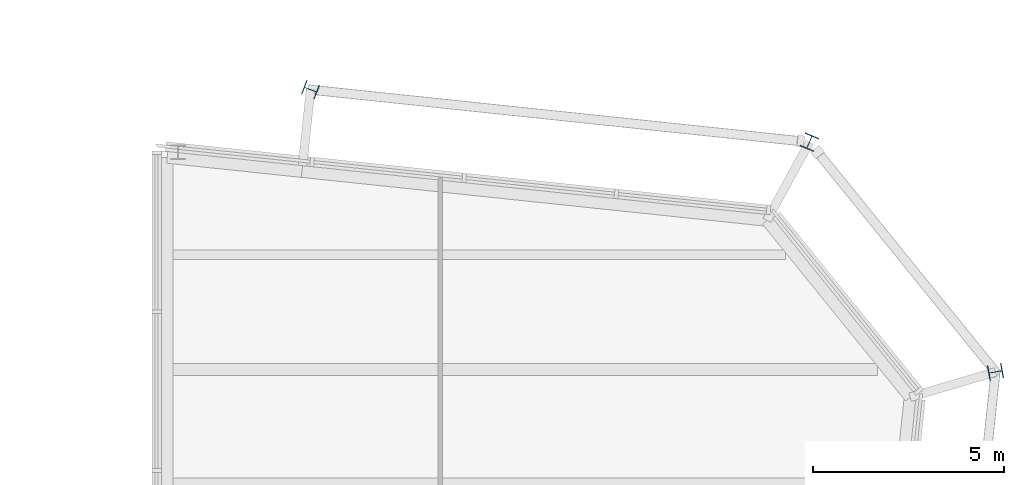
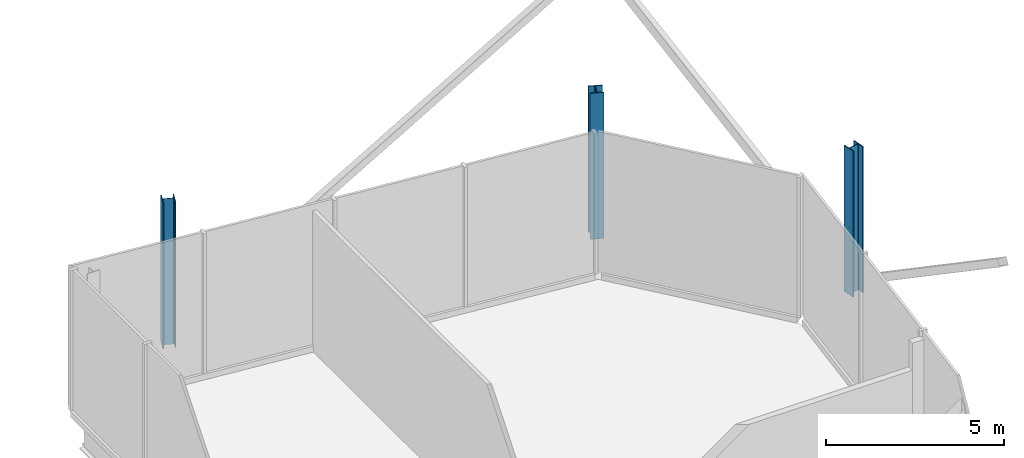
# One storey, part 4 of 15: 3 columns.
"""IFC4 building model written with IfcOpenShell, lengths in metres."""

from ifc_helpers import new_model, si_unit, direction, frame, origin, origin_2d, place, context, subcontext, project, spatial, i_section, extrude, material, material_profile, profile_set, type_object, element, save


model = new_model("IFC4")

# Units and contexts
model_context = context("Model", 3, precision=1e-05, world=origin(), true_north=direction((0.0, 1.0)))
body_context = subcontext(model_context, "Body", "Model", "MODEL_VIEW")
ifc_project = project(units=[si_unit("LENGTHUNIT", "METRE"), si_unit("AREAUNIT", "SQUARE_METRE"), si_unit("VOLUMEUNIT", "CUBIC_METRE"), si_unit("PLANEANGLEUNIT", "RADIAN"), si_unit("MASSUNIT", "GRAM", prefix="KILO")], contexts=[model_context])

# Site, building, storey
site_placement = place(None, origin())
site = spatial("IfcSite", under=ifc_project, at=site_placement, CompositionType="ELEMENT")
building_placement = place(site_placement, origin())
building = spatial("IfcBuilding", under=site, at=building_placement, Name="Millrace Tower", CompositionType="ELEMENT")
storey_placement = place(building_placement, frame((0.0, 0.0, 352.10009765625)))
storey = spatial("IfcBuildingStorey", under=building, at=storey_placement, Name="L81", CompositionType="ELEMENT", Elevation=352.10009765625)

# Columns
ifc_material_1 = material(Name="Steel ASTM A913 Grade 65", Category="steel")
ifc_material_profile_1 = material_profile(ifc_material_1, i_section(OverallWidth=0.393798828125, OverallDepth=0.3759765625, WebThickness=0.017333984375, FlangeThickness=0.027587890625, FilletRadius=0.01513671875, at=origin_2d()))
ifc_profile_set_1 = profile_set([ifc_material_profile_1], Name="Steel ASTM A913 Grade 65")
column_type_1 = type_object("IfcColumnType", Name="Exoskeleton column W14x145", PredefinedType="COLUMN", material=ifc_profile_set_1)
column_placement = place(storey_placement, frame((8.9033203125, 28.321533203125, 0.0), z_axis=(0.0, 0.0, 1.0), x_axis=(-0.355988594395, -0.934490299929, 0.0)))
element("IfcColumn", 1, at=column_placement, inside=storey, type_object=column_type_1, Name="COL-E-L81-X11", PredefinedType="COLUMN", context=body_context, shape_type="SweptSolid", body=[
    extrude(i_section(OverallWidth=0.393798828125, OverallDepth=0.3759765625, WebThickness=0.017333984375, FlangeThickness=0.027587890625, FilletRadius=0.01513671875, at=origin_2d()), origin(), (0.0, 0.0, 1.0), 5.0),
])
ifc_material_2 = material(Name="Steel ASTM A913 Grade 65", Category="steel")
ifc_material_profile_2 = material_profile(ifc_material_2, i_section(OverallWidth=0.396240234375, OverallDepth=0.381103515625, WebThickness=0.018798828125, FlangeThickness=0.0302734375, FilletRadius=0.01513671875, at=origin_2d()))
ifc_profile_set_2 = profile_set([ifc_material_profile_2], Name="Steel ASTM A913 Grade 65")
column_type_2 = type_object("IfcColumnType", Name="Exoskeleton column W14x159", PredefinedType="COLUMN", material=ifc_profile_set_2)
for number, where, z_axis, x_axis, name in (
    (2, (26.82958984375, 20.935791015625, 0.0), (0.0, 0.0, 1.0), (-0.18038747256, 0.983595628164, 0.0), "COL-E-L81-X09"),
    (3, (21.9599609375, 26.94921875, 0.0), (0.0, 0.0, 1.0), (-0.92459700658, 0.380946683176, 0.0), "COL-E-L81-X10"),
):
    element("IfcColumn", number, at=place(storey_placement, frame(where, z_axis=z_axis, x_axis=x_axis)), inside=storey, type_object=column_type_2, Name=name, PredefinedType="COLUMN", context=body_context, shape_type="SweptSolid", body=[
        extrude(i_section(OverallWidth=0.396240234375, OverallDepth=0.381103515625, WebThickness=0.018798828125, FlangeThickness=0.0302734375, FilletRadius=0.01513671875, at=origin_2d()), origin(), (0.0, 0.0, 1.0), 5.0),
    ])

save(model, "model.ifc")
